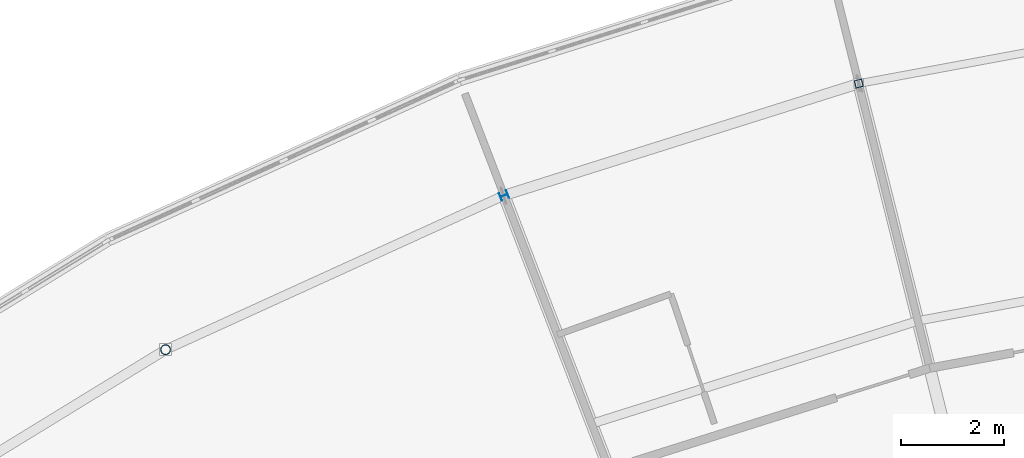
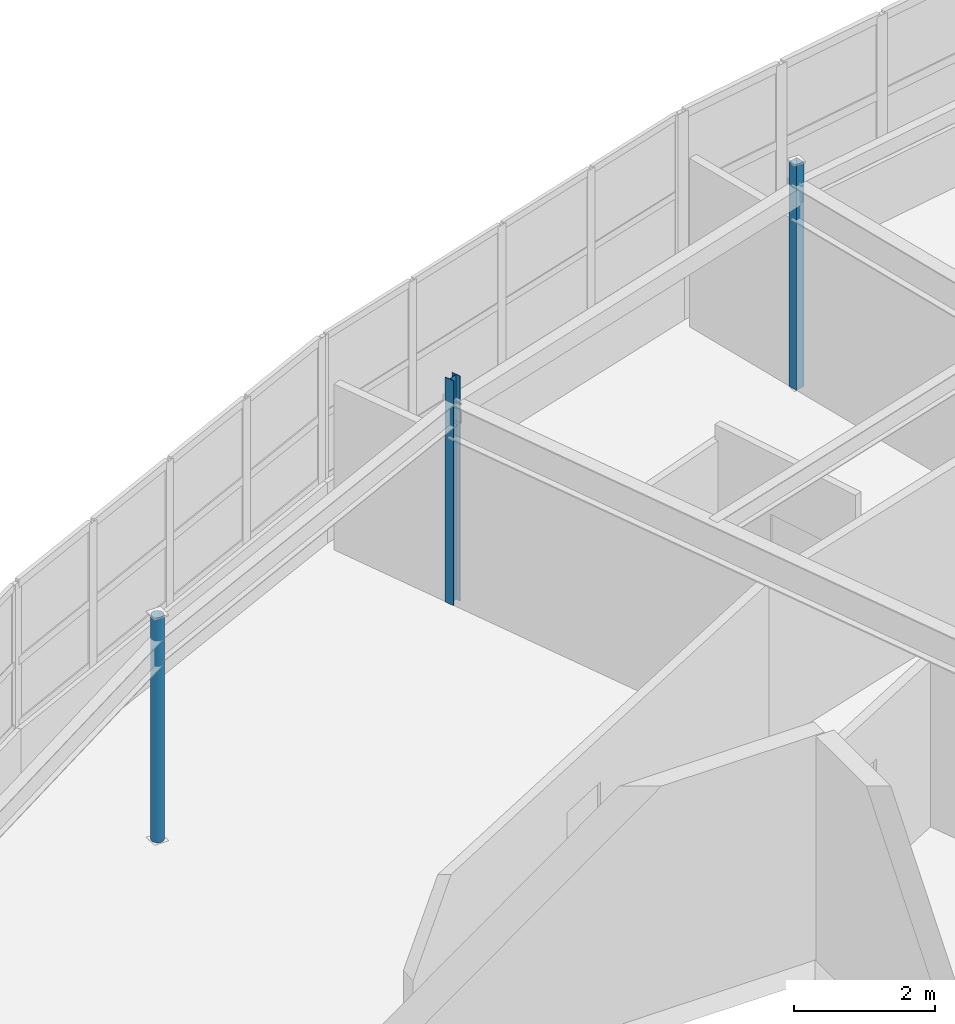
# One storey, part 9 of 60: 3 columns.
"""IFC4 building model written with IfcOpenShell, lengths in metres."""

from ifc_helpers import new_model, si_unit, direction, frame, origin, origin_2d, place, context, subcontext, project, spatial, hollow_rectangle, hollow_circle, i_section, extrude, material, material_profile, profile_set, type_object, element, save


model = new_model("IFC4")

# Units and contexts
model_context = context("Model", 3, precision=1e-05, world=origin(), true_north=direction((0.0, 1.0)))
body_context = subcontext(model_context, "Body", "Model", "MODEL_VIEW")
ifc_project = project(units=[si_unit("LENGTHUNIT", "METRE"), si_unit("AREAUNIT", "SQUARE_METRE"), si_unit("VOLUMEUNIT", "CUBIC_METRE"), si_unit("PLANEANGLEUNIT", "RADIAN"), si_unit("MASSUNIT", "GRAM", prefix="KILO")], contexts=[model_context])

# Site, building, storey
site_placement = place(None, origin())
site = spatial("IfcSite", under=ifc_project, at=site_placement, CompositionType="ELEMENT")
building_placement = place(site_placement, origin())
building = spatial("IfcBuilding", under=site, at=building_placement, Name="Tarnwether General Hospital", CompositionType="ELEMENT")
storey_placement = place(building_placement, frame((0.0, 0.0, 26.10009765625)))
storey = spatial("IfcBuildingStorey", under=building, at=storey_placement, Name="L06", CompositionType="ELEMENT", Elevation=26.10009765625)

# Columns
ifc_material_1 = material(Name="Steel Grade C350L0 (350 MPa)", Category="steel")
ifc_material_profile_1 = material_profile(ifc_material_1, hollow_circle(Radius=0.096923828125, WallThickness=0.008056640625, at=origin_2d()), Name="CHS193.7x8.0")
ifc_profile_set_1 = profile_set([ifc_material_profile_1], Name="Steel Grade C350L0 (350 MPa)")
column_type_1 = type_object("IfcColumnType", Name="COL-29", PredefinedType="COLUMN", material=ifc_profile_set_1)
column_1_placement = place(storey_placement, frame((64.20703125, 115.27001953125, 0.0), z_axis=(0.0, 0.0, 1.0), x_axis=(-0.469471562786, 0.882947592859, 0.0)))
element("IfcColumn", 1, at=column_1_placement, inside=storey, type_object=column_type_1, Name="Column COLG-L06-6421_11527", PredefinedType="COLUMN", context=body_context, shape_type="SweptSolid", body=[
    extrude(hollow_circle(Radius=0.096923828125, WallThickness=0.008056640625, at=origin_2d()), origin(), (0.0, 0.0, 1.0), 3.89990234375),
])
ifc_material_2 = material(Name="Steel Grade 350 (350 MPa)", Category="steel")
ifc_material_profile_2 = material_profile(ifc_material_2, i_section(OverallWidth=0.153076171875, OverallDepth=0.157958984375, WebThickness=0.006591796875, FlangeThickness=0.009521484375, at=origin_2d()), Name="150UC30.0")
ifc_profile_set_2 = profile_set([ifc_material_profile_2], Name="Steel Grade 350 (350 MPa)")
column_type_2 = type_object("IfcColumnType", Name="COL-31", PredefinedType="COLUMN", material=ifc_profile_set_2)
column_2_placement = place(storey_placement, frame((70.784912109375, 118.26806640625, 0.0), z_axis=(0.0, 0.0, 1.0), x_axis=(-0.358367949545, 0.933580426497, 0.0)))
element("IfcColumn", 2, at=column_2_placement, inside=storey, type_object=column_type_2, Name="Column COLG-L06-7078_11827", PredefinedType="COLUMN", context=body_context, shape_type="SweptSolid", body=[
    extrude(i_section(OverallWidth=0.153076171875, OverallDepth=0.157958984375, WebThickness=0.006591796875, FlangeThickness=0.009521484375, at=origin_2d()), origin(), (0.0, 0.0, 1.0), 3.89990234375),
])
ifc_material_3 = material(Name="Steel Grade C350L0 (350 MPa)", Category="steel")
ifc_material_profile_3 = material_profile(ifc_material_3, hollow_rectangle(XDim=0.14990234375, YDim=0.14990234375, WallThickness=0.008056640625, at=origin_2d()), Name="SHS150x150x8")
ifc_profile_set_3 = profile_set([ifc_material_profile_3], Name="Steel Grade C350L0 (350 MPa)")
column_type_3 = type_object("IfcColumnType", Name="COL-33", PredefinedType="COLUMN", material=ifc_profile_set_3)
column_3_placement = place(storey_placement, frame((77.677978515625, 120.44189453125, 0.0), z_axis=(0.0, 0.0, 1.0), x_axis=(-0.2419218956, 0.970295726276, 0.0)))
element("IfcColumn", 3, at=column_3_placement, inside=storey, type_object=column_type_3, Name="Column COLG-L06-7768_12044", PredefinedType="COLUMN", context=body_context, shape_type="SweptSolid", body=[
    extrude(hollow_rectangle(XDim=0.14990234375, YDim=0.14990234375, WallThickness=0.008056640625, at=origin_2d()), origin(), (0.0, 0.0, 1.0), 3.89990234375),
])

save(model, "model.ifc")
